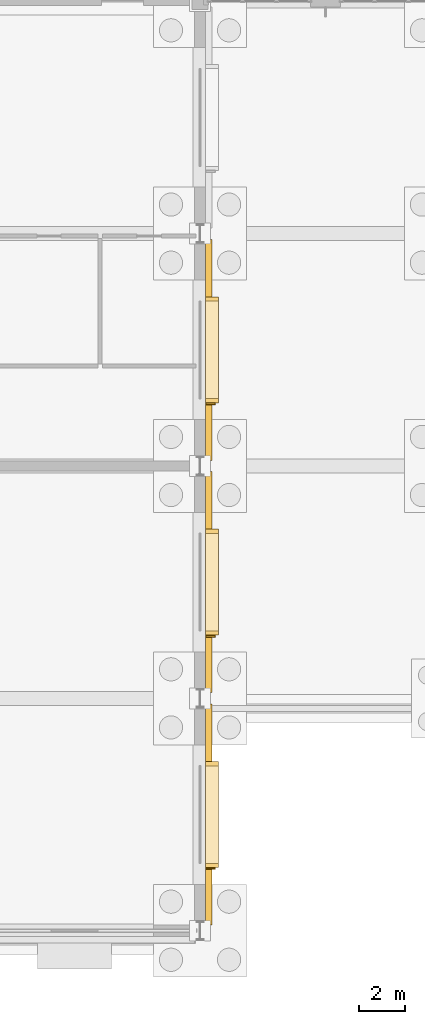
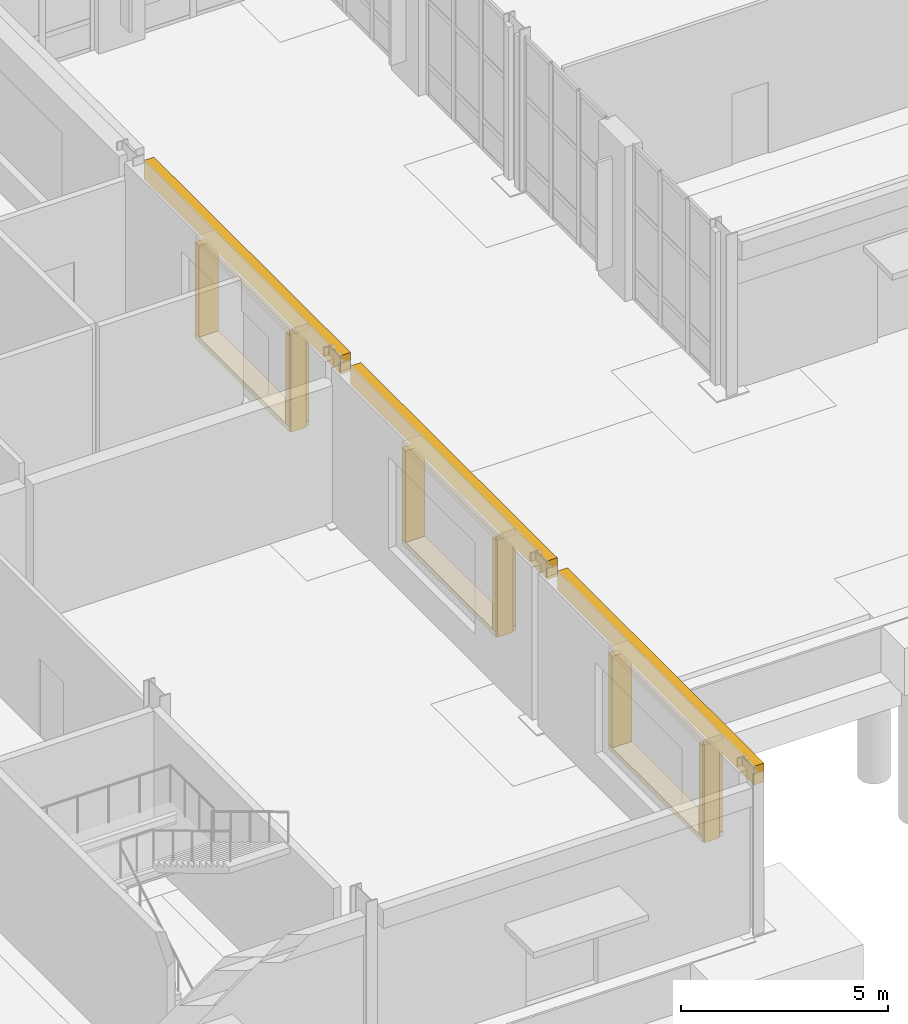
# One storey, part 61 of 73: 15 coverings, 3 shading devices.
"""IFC4 building model written with IfcOpenShell, lengths in metres."""

from ifc_helpers import new_model, si_unit, direction, frame, origin, origin_2d, place, context, subcontext, project, spatial, rectangle, extrude, material, layer, layer_set, type_object, element, save


model = new_model("IFC4")

# Units and contexts
model_context = context("Model", 3, precision=1e-05, world=origin(), true_north=direction((0.0, 1.0)))
body_context = subcontext(model_context, "Body", "Model", "MODEL_VIEW")
ifc_project = project(units=[si_unit("LENGTHUNIT", "METRE"), si_unit("AREAUNIT", "SQUARE_METRE"), si_unit("VOLUMEUNIT", "CUBIC_METRE"), si_unit("PLANEANGLEUNIT", "RADIAN"), si_unit("MASSUNIT", "GRAM", prefix="KILO")], contexts=[model_context])

# Site, building, storey
site_placement = place(None, origin())
site = spatial("IfcSite", under=ifc_project, at=site_placement, CompositionType="ELEMENT")
building_placement = place(site_placement, origin())
building = spatial("IfcBuilding", under=site, at=building_placement, Name="Tasgan Crest Museum", CompositionType="ELEMENT")
storey_placement = place(building_placement, origin())
storey = spatial("IfcBuildingStorey", under=building, at=storey_placement, Name="L00", CompositionType="ELEMENT", Elevation=0.0)

# Coverings
ifc_material_1 = material(Name="Honed Rose-Red Mongolian Granite", Category="masonry")
ifc_layer_1 = layer(ifc_material_1, 0.0400390625, Name="COV-GRANITE-ROSE")
ifc_layer_set_1 = layer_set([ifc_layer_1], Name="Honed Rose-Red Mongolian Granite")
covering_type_1 = type_object("IfcCoveringType", Name="COV-GRANITE-ROSE", PredefinedType="CLADDING", material=ifc_layer_set_1)
covering_1_placement = place(storey_placement, frame((54.3798828125, 5.0, 3.9599609375), z_axis=(0.0, 0.0, 1.0), x_axis=(0.0, 1.0, 0.0)))
element("IfcCovering", 1, at=covering_1_placement, inside=storey, type_object=covering_type_1, Name="Stone frieze cladding L00", PredefinedType="CLADDING", context=body_context, shape_type="SweptSolid", body=[
    extrude(rectangle(XDim=9.510009765625, YDim=0.280029296875, at=origin_2d()), origin(), (0.0, 0.0, 1.0), 0.550048828125),
])
for number, where, z_axis, x_axis, name in (
    (2, (54.514892578125, 2.81005859375, 0.89990234375), (0.0, 0.0, 1.0), (0.0, 1.0, 0.0), "Deep window reveal jamb L00-002"),
    (3, (54.514892578125, 7.18994140625, 0.89990234375), (0.0, 0.0, 1.0), (0.0, 1.0, 0.0), "Deep window reveal jamb L00-002"),
):
    element("IfcCovering", number, at=place(storey_placement, frame(where, z_axis=z_axis, x_axis=x_axis)), inside=storey, type_object=covering_type_1, Name=name, PredefinedType="CLADDING", context=body_context, shape_type="SweptSolid", body=[
        extrude(rectangle(XDim=0.179931640625, YDim=0.550048828125, at=origin_2d()), origin(), (0.0, 0.0, 1.0), 2.699951171875),
    ])
covering_2_placement = place(storey_placement, frame((54.3798828125, 15.0, 3.9599609375), z_axis=(0.0, 0.0, 1.0), x_axis=(0.0, 1.0, 0.0)))
element("IfcCovering", 4, at=covering_2_placement, inside=storey, type_object=covering_type_1, Name="Stone frieze cladding L00", PredefinedType="CLADDING", context=body_context, shape_type="SweptSolid", body=[
    extrude(rectangle(XDim=9.510009765625, YDim=0.280029296875, at=origin_2d()), origin(), (0.0, 0.0, 1.0), 0.550048828125),
])
for number, where, z_axis, x_axis, name in (
    (5, (54.514892578125, 12.81005859375, 0.89990234375), (0.0, 0.0, 1.0), (0.0, 1.0, 0.0), "Deep window reveal jamb L00-003"),
    (6, (54.514892578125, 17.18994140625, 0.89990234375), (0.0, 0.0, 1.0), (0.0, 1.0, 0.0), "Deep window reveal jamb L00-003"),
):
    element("IfcCovering", number, at=place(storey_placement, frame(where, z_axis=z_axis, x_axis=x_axis)), inside=storey, type_object=covering_type_1, Name=name, PredefinedType="CLADDING", context=body_context, shape_type="SweptSolid", body=[
        extrude(rectangle(XDim=0.179931640625, YDim=0.550048828125, at=origin_2d()), origin(), (0.0, 0.0, 1.0), 2.699951171875),
    ])
covering_3_placement = place(storey_placement, frame((54.3798828125, 25.0, 3.9599609375), z_axis=(0.0, 0.0, 1.0), x_axis=(0.0, 1.0, 0.0)))
element("IfcCovering", 7, at=covering_3_placement, inside=storey, type_object=covering_type_1, Name="Stone frieze cladding L00", PredefinedType="CLADDING", context=body_context, shape_type="SweptSolid", body=[
    extrude(rectangle(XDim=9.510009765625, YDim=0.280029296875, at=origin_2d()), origin(), (0.0, 0.0, 1.0), 0.550048828125),
])
for number, where, z_axis, x_axis, name in (
    (8, (54.514892578125, 22.81005859375, 0.89990234375), (0.0, 0.0, 1.0), (0.0, 1.0, 0.0), "Deep window reveal jamb L00-004"),
    (9, (54.514892578125, 27.18994140625, 0.89990234375), (0.0, 0.0, 1.0), (0.0, 1.0, 0.0), "Deep window reveal jamb L00-004"),
):
    element("IfcCovering", number, at=place(storey_placement, frame(where, z_axis=z_axis, x_axis=x_axis)), inside=storey, type_object=covering_type_1, Name=name, PredefinedType="CLADDING", context=body_context, shape_type="SweptSolid", body=[
        extrude(rectangle(XDim=0.179931640625, YDim=0.550048828125, at=origin_2d()), origin(), (0.0, 0.0, 1.0), 2.699951171875),
    ])
ifc_material_2 = material(Name="Honed Buff Limestone", Category="masonry")
ifc_layer_2 = layer(ifc_material_2, 0.044921875, Name="COV-LIMESTONE-BUFF")
ifc_layer_set_2 = layer_set([ifc_layer_2], Name="Honed Buff Limestone")
covering_type_2 = type_object("IfcCoveringType", Name="COV-LIMESTONE-BUFF", PredefinedType="CLADDING", material=ifc_layer_set_2)
covering_4_placement = place(storey_placement, frame((54.514892578125, 5.0, 3.60009765625), z_axis=(0.0, 0.0, 1.0), x_axis=(0.0, 1.0, 0.0)))
element("IfcCovering", 10, at=covering_4_placement, inside=storey, type_object=covering_type_2, Name="Deep window hood L00-002", PredefinedType="CLADDING", context=body_context, shape_type="SweptSolid", body=[
    extrude(rectangle(XDim=4.56005859375, YDim=0.550048828125, at=origin_2d()), origin(), (0.0, 0.0, 1.0), 0.179931640625),
])
covering_5_placement = place(storey_placement, frame((54.514892578125, 5.0, 0.76025390625), z_axis=(0.0, 0.0, 1.0), x_axis=(0.0, 1.0, 0.0)))
element("IfcCovering", 11, at=covering_5_placement, inside=storey, type_object=covering_type_2, Name="Deep window sill L00-002", PredefinedType="CLADDING", context=body_context, shape_type="SweptSolid", body=[
    extrude(rectangle(XDim=4.56005859375, YDim=0.550048828125, at=origin_2d()), origin(), (0.0, 0.0, 1.0), 0.139892578125),
])
covering_6_placement = place(storey_placement, frame((54.514892578125, 15.0, 3.60009765625), z_axis=(0.0, 0.0, 1.0), x_axis=(0.0, 1.0, 0.0)))
element("IfcCovering", 12, at=covering_6_placement, inside=storey, type_object=covering_type_2, Name="Deep window hood L00-003", PredefinedType="CLADDING", context=body_context, shape_type="SweptSolid", body=[
    extrude(rectangle(XDim=4.56005859375, YDim=0.550048828125, at=origin_2d()), origin(), (0.0, 0.0, 1.0), 0.179931640625),
])
covering_7_placement = place(storey_placement, frame((54.514892578125, 15.0, 0.76025390625), z_axis=(0.0, 0.0, 1.0), x_axis=(0.0, 1.0, 0.0)))
element("IfcCovering", 13, at=covering_7_placement, inside=storey, type_object=covering_type_2, Name="Deep window sill L00-003", PredefinedType="CLADDING", context=body_context, shape_type="SweptSolid", body=[
    extrude(rectangle(XDim=4.56005859375, YDim=0.550048828125, at=origin_2d()), origin(), (0.0, 0.0, 1.0), 0.139892578125),
])
covering_8_placement = place(storey_placement, frame((54.514892578125, 25.0, 3.60009765625), z_axis=(0.0, 0.0, 1.0), x_axis=(0.0, 1.0, 0.0)))
element("IfcCovering", 14, at=covering_8_placement, inside=storey, type_object=covering_type_2, Name="Deep window hood L00-004", PredefinedType="CLADDING", context=body_context, shape_type="SweptSolid", body=[
    extrude(rectangle(XDim=4.56005859375, YDim=0.550048828125, at=origin_2d()), origin(), (0.0, 0.0, 1.0), 0.179931640625),
])
covering_9_placement = place(storey_placement, frame((54.514892578125, 25.0, 0.76025390625), z_axis=(0.0, 0.0, 1.0), x_axis=(0.0, 1.0, 0.0)))
element("IfcCovering", 15, at=covering_9_placement, inside=storey, type_object=covering_type_2, Name="Deep window sill L00-004", PredefinedType="CLADDING", context=body_context, shape_type="SweptSolid", body=[
    extrude(rectangle(XDim=4.56005859375, YDim=0.550048828125, at=origin_2d()), origin(), (0.0, 0.0, 1.0), 0.139892578125),
])

# Shading devices
ifc_material_3 = material(Name="Anodised Bronze Aluminium", Category="aluminium")
shading_device_type = type_object("IfcShadingDeviceType", Name="SH-FIN-V400", PredefinedType="JALOUSIE", material=ifc_material_3)
for number, where, z_axis, x_axis, name in (
    (16, (54.449951171875, 2.679931640625, 0.800048828125), (0.0, 0.0, 1.0), (0.0, 1.0, 0.0), "Solar shading fin L00-002"),
    (17, (54.449951171875, 12.679931640625, 0.800048828125), (0.0, 0.0, 1.0), (0.0, 1.0, 0.0), "Solar shading fin L00-003"),
    (18, (54.449951171875, 22.679931640625, 0.800048828125), (0.0, 0.0, 1.0), (0.0, 1.0, 0.0), "Solar shading fin L00-004"),
):
    element("IfcShadingDevice", number, at=place(storey_placement, frame(where, z_axis=z_axis, x_axis=x_axis)), inside=storey, type_object=shading_device_type, Name=name, PredefinedType="JALOUSIE", context=body_context, shape_type="SweptSolid", body=[
        extrude(rectangle(XDim=0.080078125, YDim=0.419921875, at=origin_2d()), origin(), (0.0, 0.0, 1.0), 2.89990234375),
    ])

save(model, "model.ifc")
